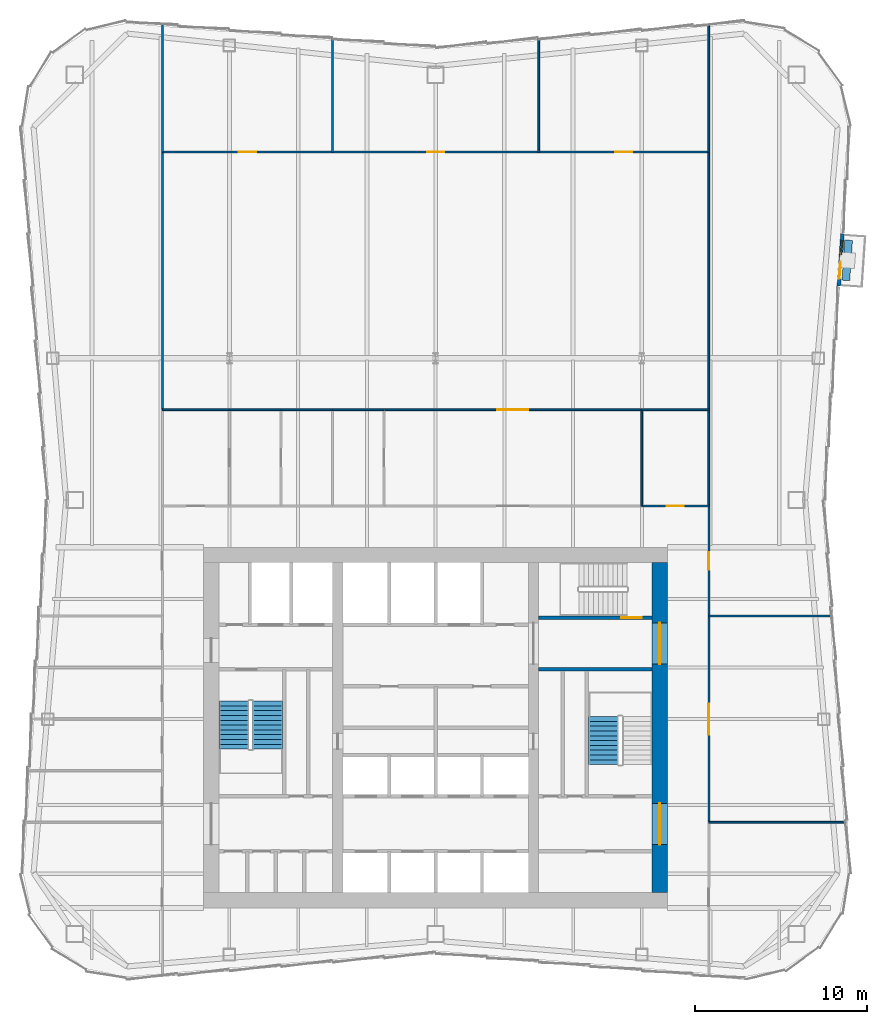
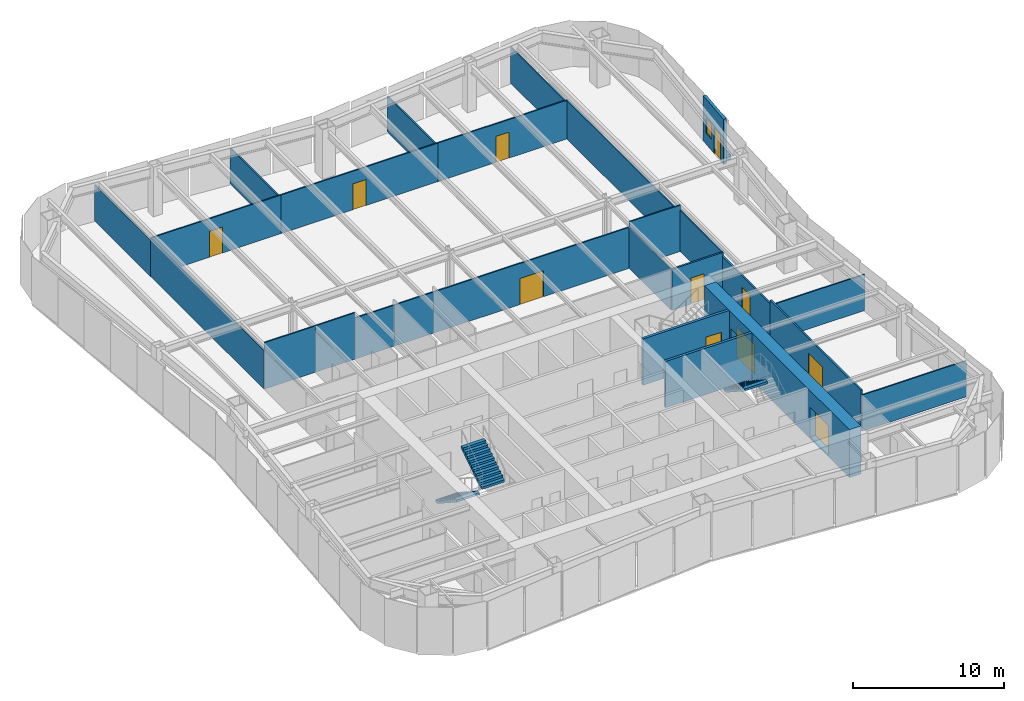
# One storey, part 7 of 10: 27 walls, 11 doors, 3 stair flights, 1 window, 12 openings, 2 elements without a shape of their own.
"""IFC4 building model written with IfcOpenShell, lengths in metres."""

from ifc_helpers import new_model, si_unit, direction, frame, frame_2d, origin, place, context, subcontext, project, spatial, polyline, rectangle, outline, extrude, material, layer, layer_set, type_object, element, fill, aggregate, save


model = new_model("IFC4")

# Units and contexts
model_context = context("Model", 3, precision=1e-05, world=origin(), true_north=direction((0.0, 1.0)))
body_context = subcontext(model_context, "Body", "Model", "MODEL_VIEW")
ifc_project = project(units=[si_unit("LENGTHUNIT", "METRE"), si_unit("AREAUNIT", "SQUARE_METRE"), si_unit("VOLUMEUNIT", "CUBIC_METRE"), si_unit("PLANEANGLEUNIT", "RADIAN"), si_unit("MASSUNIT", "GRAM", prefix="KILO")], contexts=[model_context])

# Site, building, storey
site_placement = place(None, origin())
site = spatial("IfcSite", under=ifc_project, at=site_placement, CompositionType="ELEMENT")
building_placement = place(site_placement, origin())
building = spatial("IfcBuilding", under=site, at=building_placement, Name="Verdant Reach Tower", CompositionType="ELEMENT")
storey_placement = place(building_placement, frame((0.0, 0.0, 222.0)))
storey = spatial("IfcBuildingStorey", under=building, at=storey_placement, Name="L51", CompositionType="ELEMENT", Elevation=222.0)

# Wall
ifc_material_1 = material(Name="Concrete C40/50", Category="concrete")
ifc_layer_1 = layer(ifc_material_1, 0.199951171875)
ifc_layer_set_1 = layer_set([ifc_layer_1], Name="CO-WALL-STAIR")
wall_type_1 = type_object("IfcWallType", Name="CO-WALL-STAIR", PredefinedType="PARTITIONING", material=ifc_layer_set_1)
wall_1_placement = place(storey_placement, frame((6.0, 31.39990234375, 0.0), z_axis=(0.0, 0.0, 1.0), x_axis=(1.0, 0.0, 0.0)))
element("IfcWall", 1, at=wall_1_placement, inside=storey, type_object=wall_type_1, Name="Stair enclosure wall, L51", PredefinedType="PARTITIONING", context=body_context, shape_type="SweptSolid", body=[
    extrude(rectangle(XDim=6.60009765625, YDim=0.199951171875, at=frame_2d((3.300048828125, 0.0))), origin(), (0.0, 0.0, 1.0), 3.75),
])

# Wall, opening, door
wall_2_placement = place(storey_placement, frame((6.0, 34.39990234375, 0.0), z_axis=(0.0, 0.0, 1.0), x_axis=(1.0, 0.0, 0.0)))
wall_2 = element("IfcWall", 2, at=wall_2_placement, inside=storey, type_object=wall_type_1, Name="Stair enclosure wall, L51", PredefinedType="PARTITIONING", context=body_context, shape_type="SweptSolid", body=[
    extrude(rectangle(XDim=6.60009765625, YDim=0.199951171875, at=frame_2d((3.300048828125, 0.0))), origin(), (0.0, 0.0, 1.0), 3.75),
])
opening_1_placement = place(wall_2_placement, frame((4.800048828125, 0.0, 0.0)))
opening_1 = element("IfcOpeningElement", 3, at=opening_1_placement, cuts=wall_2, Name="Opening SD", PredefinedType="OPENING", context=body_context, shape_type="SweptSolid", body=[
    extrude(rectangle(XDim=1.199951171875, YDim=2.199951171875, at=frame_2d((0.60009765625, 1.10009765625))), frame((0.0, 0.10986328125, 0.0), z_axis=(0.0, -1.0, 0.0), x_axis=(1.0, 0.0, 0.0)), (0.0, 0.0, 1.0), 0.219970703125),
])
ifc_material_2 = material(Name="Steel", Category="steel")
door_type_1 = type_object("IfcDoorType", Name="CO-DOOR-STAIR", OperationType="NOTDEFINED", PredefinedType="DOOR", material=ifc_material_2)
door_1_placement = place(opening_1_placement, origin())
door_1 = element("IfcDoor", 4, at=door_1_placement, inside=storey, type_object=door_type_1, Name="Stair door, L51", OperationType="SINGLE_SWING_RIGHT", OverallHeight=2.199951171875, OverallWidth=1.199951171875, PredefinedType="DOOR", context=body_context, shape_type="SweptSolid", body=[
    extrude(rectangle(XDim=1.199951171875, YDim=2.199951171875, at=frame_2d((0.60009765625, 1.10009765625))), frame((0.0, 0.02490234375, 0.0), z_axis=(0.0, -1.0, 0.0), x_axis=(1.0, 0.0, 0.0)), (0.0, 0.0, 1.0), 0.050048828125),
])
fill(opening_1, door_1)

# Wall, openings, door, window
ifc_material_3 = material(Name="Insulated bronze aluminium panel wall", Category="aluminium")
ifc_layer_2 = layer(ifc_material_3, 0.219970703125)
ifc_layer_set_2 = layer_set([ifc_layer_2], Name="EN-INFILL WALL")
wall_type_2 = type_object("IfcWallType", Name="EN-INFILL WALL", PredefinedType="SOLIDWALL", material=ifc_layer_set_2)
wall_3_placement = place(storey_placement, frame((23.46826171875, 53.7041015625, 0.0), z_axis=(0.0, 0.0, 1.0), x_axis=(0.068793846076, 0.997630897047, 0.0)))
wall_3 = element("IfcWall", 5, at=wall_3_placement, inside=storey, type_object=wall_type_2, Name="External infill wall, balcony bay 1, L51", PredefinedType="SOLIDWALL", context=body_context, shape_type="SweptSolid", body=[
    extrude(rectangle(XDim=3.048583984375, YDim=0.218017578125, at=frame_2d((1.5244140625, 0.0))), origin(), (0.0, 0.0, 1.0), 3.64990234375),
])
opening_2_placement = place(wall_3_placement, frame((0.416259765625, 0.0, 0.0)))
opening_2 = element("IfcOpeningElement", 6, at=opening_2_placement, cuts=wall_3, Name="Opening BD1", PredefinedType="OPENING", context=body_context, shape_type="SweptSolid", body=[
    extrude(rectangle(XDim=1.0, YDim=2.10009765625, at=frame_2d((0.5, 1.050048828125))), frame((0.0, 0.118896484375, 0.0), z_axis=(0.0, -1.0, 0.0), x_axis=(1.0, 0.0, 0.0)), (0.0, 0.0, 1.0), 0.238037109375),
])
opening_3_placement = place(wall_3_placement, frame((1.832275390625, 0.0, 0.89990234375)))
opening_3 = element("IfcOpeningElement", 7, at=opening_3_placement, cuts=wall_3, Name="Opening BW1", PredefinedType="OPENING", context=body_context, shape_type="SweptSolid", body=[
    extrude(rectangle(XDim=0.800048828125, YDim=1.199951171875, at=frame_2d((0.39990234375, 0.60009765625))), frame((0.0, 0.118896484375, 0.0), z_axis=(0.0, -1.0, 0.0), x_axis=(1.0, 0.0, 0.0)), (0.0, 0.0, 1.0), 0.238037109375),
])
ifc_material_4 = material(Name="Aluminium framed glazed door", Category="aluminium")
door_type_2 = type_object("IfcDoorType", Name="EN-DOOR BALCONY", OperationType="NOTDEFINED", PredefinedType="DOOR", material=ifc_material_4)
door_2_placement = place(opening_2_placement, origin())
door_2 = element("IfcDoor", 8, at=door_2_placement, inside=storey, type_object=door_type_2, Name="Balcony door 1, L51", OperationType="SINGLE_SWING_LEFT", OverallHeight=2.10009765625, OverallWidth=1.0, PredefinedType="DOOR", context=body_context, shape_type="SweptSolid", body=[
    extrude(rectangle(XDim=1.0, YDim=2.10009765625, at=frame_2d((0.5, 1.050048828125))), frame((0.0, 0.02490234375, 0.0), z_axis=(0.0, -1.0, 0.0), x_axis=(1.0, 0.0, 0.0)), (0.0, 0.0, 1.0), 0.050048828125),
])
fill(opening_2, door_2)
ifc_material_5 = material(Name="Aluminium framed glazing", Category="aluminium")
window_type = type_object("IfcWindowType", Name="EN-WINDOW BALCONY", PartitioningType="SINGLE_PANEL", PredefinedType="WINDOW", material=ifc_material_5)
window_placement = place(opening_3_placement, origin())
window = element("IfcWindow", 9, at=window_placement, inside=storey, type_object=window_type, Name="Balcony window 1, L51", OverallHeight=1.199951171875, OverallWidth=0.800048828125, PartitioningType="SINGLE_PANEL", PredefinedType="WINDOW", context=body_context, shape_type="SweptSolid", body=[
    extrude(rectangle(XDim=0.800048828125, YDim=1.199951171875, at=frame_2d((0.39990234375, 0.60009765625))), frame((0.0, 0.030029296875, 0.0), z_axis=(0.0, -1.0, 0.0), x_axis=(1.0, 0.0, 0.0)), (0.0, 0.0, 1.0), 0.06005859375),
])
fill(opening_3, window)

# Walls
ifc_material_6 = material(Name="Precast concrete C30/37", Category="concrete")
ifc_layer_3 = layer(ifc_material_6, 0.449951171875)
ifc_layer_set_3 = layer_set([ifc_layer_3], Name="EN-PLANTER")
wall_type_3 = type_object("IfcWallType", Name="EN-PLANTER", PredefinedType="USERDEFINED", material=ifc_layer_set_3)
wall_4_placement = place(storey_placement, frame((23.875244140625, 54.02685546875, 0.0), z_axis=(0.0, 0.0, 1.0), x_axis=(0.068823499363, 0.997628851796, 0.0)))
element("IfcWall", 10, at=wall_4_placement, inside=storey, type_object=wall_type_3, Name="Balcony planter 1, L51", ObjectType="PLANTER", PredefinedType="USERDEFINED", context=body_context, shape_type="SweptSolid", body=[
    extrude(rectangle(XDim=2.348388671875, YDim=0.449951171875, at=frame_2d((1.17431640625, 0.0))), origin(), (0.0, 0.0, 1.0), 0.39990234375),
])
ifc_material_7 = material(Name="Gypsum board on steel studs", Category="steel")
ifc_layer_4 = layer(ifc_material_7, 0.10009765625)
ifc_layer_set_4 = layer_set([ifc_layer_4], Name="FL-W1 Partition 100")
wall_type_4 = type_object("IfcWallType", Name="FL-W1 Partition 100", PredefinedType="PARTITIONING", material=ifc_layer_set_4)
wall_5_placement = place(storey_placement, frame((-11.99609375, 46.5, 0.0), z_axis=(0.0, 0.0, 1.0), x_axis=(-1.0, 0.0, 0.0)))
element("IfcWall", 11, at=wall_5_placement, inside=storey, type_object=wall_type_4, Name="Partition 51.17", PredefinedType="PARTITIONING", context=body_context, shape_type="SweptSolid", body=[
    extrude(rectangle(XDim=3.90380859375, YDim=0.10009765625, at=frame_2d((1.951904296875, 0.0))), origin(), (0.0, 0.0, 1.0), 3.75),
])
wall_6_placement = place(storey_placement, frame((-8.99609375, 46.5, 0.0), z_axis=(0.0, 0.0, 1.0), x_axis=(-1.0, 0.0, 0.0)))
element("IfcWall", 12, at=wall_6_placement, inside=storey, type_object=wall_type_4, Name="Partition 51.20", PredefinedType="PARTITIONING", context=body_context, shape_type="SweptSolid", body=[
    extrude(rectangle(XDim=3.0078125, YDim=0.10009765625, at=frame_2d((1.50390625, 0.0))), origin(), (0.0, 0.0, 1.0), 3.75),
])
for number, where, z_axis, x_axis, name in (
    (13, (-5.99609375, 46.5, 0.0), (0.0, 0.0, 1.0), (-1.0, 0.0, 0.0), "Partition 51.22"),
    (14, (-2.99609375, 46.5, 0.0), (0.0, 0.0, 1.0), (-1.0, 0.0, 0.0), "Partition 51.24"),
):
    element("IfcWall", number, at=place(storey_placement, frame(where, z_axis=z_axis, x_axis=x_axis)), inside=storey, type_object=wall_type_4, Name=name, PredefinedType="PARTITIONING", context=body_context, shape_type="SweptSolid", body=[
        extrude(rectangle(XDim=3.0078125, YDim=0.10009765625, at=frame_2d((1.50390625, 0.0))), origin(), (0.0, 0.0, 1.0), 3.320068359375),
    ])
wall_7_placement = place(storey_placement, frame((12.0, 40.89990234375, 0.0), z_axis=(0.0, 0.0, 1.0), x_axis=(0.0, 1.0, 0.0)))
element("IfcWall", 15, at=wall_7_placement, inside=storey, type_object=wall_type_4, Name="Partition 51.25", PredefinedType="PARTITIONING", context=body_context, shape_type="SweptSolid", body=[
    extrude(rectangle(XDim=5.60009765625, YDim=0.10009765625, at=frame_2d((2.800048828125, 0.0))), origin(), (0.0, 0.0, 1.0), 3.320068359375),
])

# Wall, opening, door
wall_8_placement = place(storey_placement, frame((-3.00390625, 46.5, 0.0), z_axis=(0.0, 0.0, 1.0), x_axis=(1.0, 0.0, 0.0)))
wall_8 = element("IfcWall", 16, at=wall_8_placement, inside=storey, type_object=wall_type_4, Name="Partition 51.26", PredefinedType="PARTITIONING", context=body_context, shape_type="SweptSolid", body=[
    extrude(rectangle(XDim=15.0078125, YDim=0.10009765625, at=frame_2d((7.50390625, 0.0))), origin(), (0.0, 0.0, 1.0), 3.320068359375),
])
opening_4_placement = place(wall_8_placement, frame((6.60400390625, 0.0, 0.0)))
opening_4 = element("IfcOpeningElement", 17, at=opening_4_placement, cuts=wall_8, Name="Opening D5", PredefinedType="OPENING", context=body_context, shape_type="SweptSolid", body=[
    extrude(rectangle(XDim=1.800048828125, YDim=2.10009765625, at=frame_2d((0.89990234375, 1.050048828125))), frame((0.0, 0.06005859375, 0.0), z_axis=(0.0, -1.0, 0.0), x_axis=(1.0, 0.0, 0.0)), (0.0, 0.0, 1.0), 0.1201171875),
])
ifc_material_8 = material(Name="Painted timber door leaves", Category="wood")
door_type_3 = type_object("IfcDoorType", Name="FL-D5 Double door 1800x2100", OperationType="DOUBLE_DOOR_SINGLE_SWING", PredefinedType="DOOR", material=ifc_material_8)
door_3_placement = place(opening_4_placement, origin())
door_3 = element("IfcDoor", 18, at=door_3_placement, inside=storey, type_object=door_type_3, Name="Door 51-016", OperationType="DOUBLE_DOOR_SINGLE_SWING", OverallHeight=2.10009765625, OverallWidth=1.800048828125, PredefinedType="DOOR", context=body_context, shape_type="SweptSolid", body=[
    extrude(rectangle(XDim=1.800048828125, YDim=2.10009765625, at=frame_2d((0.89990234375, 1.050048828125))), frame((0.0, 0.02490234375, 0.0), z_axis=(0.0, -1.0, 0.0), x_axis=(1.0, 0.0, 0.0)), (0.0, 0.0, 1.0), 0.050048828125),
])
fill(opening_4, door_3)

# Walls
wall_9_placement = place(storey_placement, frame((15.89990234375, 46.5, 0.0), z_axis=(0.0, 0.0, 1.0), x_axis=(-1.0, 0.0, 0.0)))
element("IfcWall", 19, at=wall_9_placement, inside=storey, type_object=wall_type_4, Name="Partition 51.27", PredefinedType="PARTITIONING", context=body_context, shape_type="SweptSolid", body=[
    extrude(rectangle(XDim=3.90380859375, YDim=0.10009765625, at=frame_2d((1.951904296875, 0.0))), origin(), (0.0, 0.0, 1.0), 3.75),
])
wall_10_placement = place(storey_placement, frame((15.89990234375, 40.89599609375, 0.0), z_axis=(0.0, 0.0, 1.0), x_axis=(0.0, 1.0, 0.0)))
element("IfcWall", 20, at=wall_10_placement, inside=storey, type_object=wall_type_4, Name="Partition 51.28", PredefinedType="PARTITIONING", context=body_context, shape_type="SweptSolid", body=[
    extrude(rectangle(XDim=5.60791015625, YDim=0.10009765625, at=frame_2d((2.803955078125, 0.0))), origin(), (0.0, 0.0, 1.0), 3.320068359375),
])

# Wall, opening, door
wall_11_placement = place(storey_placement, frame((-15.89990234375, 61.5, 0.0), z_axis=(0.0, 0.0, 1.0), x_axis=(1.0, 0.0, 0.0)))
wall_11 = element("IfcWall", 21, at=wall_11_placement, inside=storey, type_object=wall_type_4, Name="Partition 51.29", PredefinedType="PARTITIONING", context=body_context, shape_type="SweptSolid", body=[
    extrude(rectangle(XDim=9.89990234375, YDim=0.10009765625, at=frame_2d((4.949951171875, 0.0))), origin(), (0.0, 0.0, 1.0), 3.1201171875),
])
opening_5_placement = place(wall_11_placement, frame((4.449951171875, 0.0, 0.0)))
opening_5 = element("IfcOpeningElement", 22, at=opening_5_placement, cuts=wall_11, Name="Opening D3", PredefinedType="OPENING", context=body_context, shape_type="SweptSolid", body=[
    extrude(rectangle(XDim=1.0, YDim=2.10009765625, at=frame_2d((0.5, 1.050048828125))), frame((0.0, 0.06005859375, 0.0), z_axis=(0.0, -1.0, 0.0), x_axis=(1.0, 0.0, 0.0)), (0.0, 0.0, 1.0), 0.1201171875),
])
ifc_material_9 = material(Name="Painted timber door leaf", Category="wood")
door_type_4 = type_object("IfcDoorType", Name="FL-D3 Door 1000x2100", OperationType="NOTDEFINED", PredefinedType="DOOR", material=ifc_material_9)
door_4_placement = place(opening_5_placement, origin())
door_4 = element("IfcDoor", 23, at=door_4_placement, inside=storey, type_object=door_type_4, Name="Door 51-017", OperationType="SINGLE_SWING_LEFT", OverallHeight=2.10009765625, OverallWidth=1.0, PredefinedType="DOOR", context=body_context, shape_type="SweptSolid", body=[
    extrude(rectangle(XDim=1.0, YDim=2.10009765625, at=frame_2d((0.5, 1.050048828125))), frame((0.0, 0.02490234375, 0.0), z_axis=(0.0, -1.0, 0.0), x_axis=(1.0, 0.0, 0.0)), (0.0, 0.0, 1.0), 0.050048828125),
])
fill(opening_5, door_4)

wall_12_placement = place(storey_placement, frame((-6.0, 61.5, 0.0), z_axis=(0.0, 0.0, 1.0), x_axis=(1.0, 0.0, 0.0)))
wall_12 = element("IfcWall", 24, at=wall_12_placement, inside=storey, type_object=wall_type_4, Name="Partition 51.30", PredefinedType="PARTITIONING", context=body_context, shape_type="SweptSolid", body=[
    extrude(rectangle(XDim=12.0, YDim=0.10009765625, at=frame_2d((6.0, 0.0))), origin(), (0.0, 0.0, 1.0), 3.1201171875),
])
opening_6_placement = place(wall_12_placement, frame((5.5, 0.0, 0.0)))
opening_6 = element("IfcOpeningElement", 25, at=opening_6_placement, cuts=wall_12, Name="Opening D3", PredefinedType="OPENING", context=body_context, shape_type="SweptSolid", body=[
    extrude(rectangle(XDim=1.0, YDim=2.10009765625, at=frame_2d((0.5, 1.050048828125))), frame((0.0, 0.06005859375, 0.0), z_axis=(0.0, -1.0, 0.0), x_axis=(1.0, 0.0, 0.0)), (0.0, 0.0, 1.0), 0.1201171875),
])
door_5_placement = place(opening_6_placement, origin())
door_5 = element("IfcDoor", 26, at=door_5_placement, inside=storey, type_object=door_type_4, Name="Door 51-018", OperationType="SINGLE_SWING_RIGHT", OverallHeight=2.10009765625, OverallWidth=1.0, PredefinedType="DOOR", context=body_context, shape_type="SweptSolid", body=[
    extrude(rectangle(XDim=1.0, YDim=2.10009765625, at=frame_2d((0.5, 1.050048828125))), frame((0.0, 0.02490234375, 0.0), z_axis=(0.0, -1.0, 0.0), x_axis=(1.0, 0.0, 0.0)), (0.0, 0.0, 1.0), 0.050048828125),
])
fill(opening_6, door_5)

wall_13_placement = place(storey_placement, frame((6.0, 61.5, 0.0), z_axis=(0.0, 0.0, 1.0), x_axis=(1.0, 0.0, 0.0)))
wall_13 = element("IfcWall", 27, at=wall_13_placement, inside=storey, type_object=wall_type_4, Name="Partition 51.31", PredefinedType="PARTITIONING", context=body_context, shape_type="SweptSolid", body=[
    extrude(rectangle(XDim=9.89990234375, YDim=0.10009765625, at=frame_2d((4.949951171875, 0.0))), origin(), (0.0, 0.0, 1.0), 3.1201171875),
])
opening_7_placement = place(wall_13_placement, frame((4.449951171875, 0.0, 0.0)))
opening_7 = element("IfcOpeningElement", 28, at=opening_7_placement, cuts=wall_13, Name="Opening D3", PredefinedType="OPENING", context=body_context, shape_type="SweptSolid", body=[
    extrude(rectangle(XDim=1.0, YDim=2.10009765625, at=frame_2d((0.5, 1.050048828125))), frame((0.0, 0.06005859375, 0.0), z_axis=(0.0, -1.0, 0.0), x_axis=(1.0, 0.0, 0.0)), (0.0, 0.0, 1.0), 0.1201171875),
])
door_6_placement = place(opening_7_placement, origin())
door_6 = element("IfcDoor", 29, at=door_6_placement, inside=storey, type_object=door_type_4, Name="Door 51-019", OperationType="SINGLE_SWING_LEFT", OverallHeight=2.10009765625, OverallWidth=1.0, PredefinedType="DOOR", context=body_context, shape_type="SweptSolid", body=[
    extrude(rectangle(XDim=1.0, YDim=2.10009765625, at=frame_2d((0.5, 1.050048828125))), frame((0.0, 0.02490234375, 0.0), z_axis=(0.0, -1.0, 0.0), x_axis=(1.0, 0.0, 0.0)), (0.0, 0.0, 1.0), 0.050048828125),
])
fill(opening_7, door_6)

# Walls
for number, where, z_axis, x_axis, name in (
    (30, (-15.89990234375, 61.50390625, 0.0), (0.0, 0.0, 1.0), (0.0, -1.0, 0.0), "Partition 51.32"),
    (31, (15.89990234375, 46.49609375, 0.0), (0.0, 0.0, 1.0), (0.0, 1.0, 0.0), "Partition 51.33"),
):
    element("IfcWall", number, at=place(storey_placement, frame(where, z_axis=z_axis, x_axis=x_axis)), inside=storey, type_object=wall_type_4, Name=name, PredefinedType="PARTITIONING", context=body_context, shape_type="SweptSolid", body=[
        extrude(rectangle(XDim=15.0078125, YDim=0.10009765625, at=frame_2d((7.50390625, 0.0))), origin(), (0.0, 0.0, 1.0), 3.1201171875),
    ])
wall_14_placement = place(storey_placement, frame((-6.0, 61.5, 0.0), z_axis=(0.0, 0.0, 1.0), x_axis=(0.0, 1.0, 0.0)))
element("IfcWall", 32, at=wall_14_placement, inside=storey, type_object=wall_type_4, Name="Partition 51.34", PredefinedType="PARTITIONING", context=body_context, shape_type="SweptSolid", body=[
    extrude(rectangle(XDim=6.580078125, YDim=0.10009765625, at=frame_2d((3.2900390625, 0.0))), origin(), (0.0, 0.0, 1.0), 2.919921875),
])
wall_15_placement = place(storey_placement, frame((-15.89990234375, 68.905029296875, 0.0), z_axis=(0.0, 0.0, 1.0), x_axis=(0.0, -1.0, 0.0)))
element("IfcWall", 33, at=wall_15_placement, inside=storey, type_object=wall_type_4, Name="Partition 51.35", PredefinedType="PARTITIONING", context=body_context, shape_type="SweptSolid", body=[
    extrude(rectangle(XDim=7.408935546875, YDim=0.10009765625, at=frame_2d((3.70458984375, 0.0))), origin(), (0.0, 0.0, 1.0), 2.919921875),
])
wall_16_placement = place(storey_placement, frame((6.0, 61.5, 0.0), z_axis=(0.0, 0.0, 1.0), x_axis=(0.0, 1.0, 0.0)))
element("IfcWall", 34, at=wall_16_placement, inside=storey, type_object=wall_type_4, Name="Partition 51.36", PredefinedType="PARTITIONING", context=body_context, shape_type="SweptSolid", body=[
    extrude(rectangle(XDim=6.580078125, YDim=0.10009765625, at=frame_2d((3.2900390625, 0.0))), origin(), (0.0, 0.0, 1.0), 2.919921875),
])
wall_17_placement = place(storey_placement, frame((15.89990234375, 61.49609375, 0.0), z_axis=(0.0, 0.0, 1.0), x_axis=(0.0, 1.0, 0.0)))
element("IfcWall", 35, at=wall_17_placement, inside=storey, type_object=wall_type_4, Name="Partition 51.37", PredefinedType="PARTITIONING", context=body_context, shape_type="SweptSolid", body=[
    extrude(rectangle(XDim=7.408935546875, YDim=0.10009765625, at=frame_2d((3.70458984375, 0.0))), origin(), (0.0, 0.0, 1.0), 2.919921875),
])
wall_18_placement = place(storey_placement, frame((23.873046875, 22.5, 0.0), z_axis=(0.0, 0.0, 1.0), x_axis=(-1.0, 0.0, 0.0)))
element("IfcWall", 36, at=wall_18_placement, inside=storey, type_object=wall_type_4, Name="Partition 51.43", PredefinedType="PARTITIONING", context=body_context, shape_type="SweptSolid", body=[
    extrude(rectangle(XDim=7.97314453125, YDim=0.10009765625, at=frame_2d((3.986572265625, 0.0))), origin(), (0.0, 0.0, 1.0), 2.919921875),
])
wall_19_placement = place(storey_placement, frame((23.04541015625, 34.5, 0.0), z_axis=(0.0, 0.0, 1.0), x_axis=(-1.0, 0.0, 0.0)))
element("IfcWall", 37, at=wall_19_placement, inside=storey, type_object=wall_type_4, Name="Partition 51.44", PredefinedType="PARTITIONING", context=body_context, shape_type="SweptSolid", body=[
    extrude(rectangle(XDim=7.1455078125, YDim=0.10009765625, at=frame_2d((3.57275390625, 0.0))), origin(), (0.0, 0.0, 1.0), 2.919921875),
])

# Wall, opening, door
ifc_material_10 = material(Name="Gypsum board on steel studs, fire rated", Category="steel")
ifc_layer_5 = layer(ifc_material_10, 0.125)
ifc_layer_set_5 = layer_set([ifc_layer_5], Name="FL-W2 Corridor wall 125")
wall_type_5 = type_object("IfcWallType", Name="FL-W2 Corridor wall 125", PredefinedType="PARTITIONING", material=ifc_layer_set_5)
wall_20_placement = place(storey_placement, frame((12.0, 40.89990234375, 0.0), z_axis=(0.0, 0.0, 1.0), x_axis=(1.0, 0.0, 0.0)))
wall_20 = element("IfcWall", 38, at=wall_20_placement, inside=storey, type_object=wall_type_5, Name="Partition 51.06", PredefinedType="PARTITIONING", context=body_context, shape_type="SweptSolid", body=[
    extrude(rectangle(XDim=3.89990234375, YDim=0.125, at=frame_2d((1.949951171875, 0.0))), origin(), (0.0, 0.0, 1.0), 3.320068359375),
])
opening_8_placement = place(wall_20_placement, frame((1.449951171875, 0.0, 0.0)))
opening_8 = element("IfcOpeningElement", 39, at=opening_8_placement, cuts=wall_20, Name="Opening D2", PredefinedType="OPENING", context=body_context, shape_type="SweptSolid", body=[
    extrude(rectangle(XDim=1.0, YDim=2.10009765625, at=frame_2d((0.5, 1.050048828125))), frame((0.0, 0.072509765625, 0.0), z_axis=(0.0, -1.0, 0.0), x_axis=(1.0, 0.0, 0.0)), (0.0, 0.0, 1.0), 0.14501953125),
])
ifc_material_11 = material(Name="Timber door leaf, fire rated", Category="wood")
door_type_5 = type_object("IfcDoorType", Name="FL-D2 Entrance door 1000x2100 FD30", OperationType="NOTDEFINED", PredefinedType="DOOR", material=ifc_material_11)
door_7_placement = place(opening_8_placement, origin())
door_7 = element("IfcDoor", 40, at=door_7_placement, inside=storey, type_object=door_type_5, Name="Door 51-003", OperationType="SINGLE_SWING_LEFT", OverallHeight=2.10009765625, OverallWidth=1.0, PredefinedType="DOOR", context=body_context, shape_type="SweptSolid", body=[
    extrude(rectangle(XDim=1.0, YDim=2.10009765625, at=frame_2d((0.5, 1.050048828125))), frame((0.0, 0.02490234375, 0.0), z_axis=(0.0, -1.0, 0.0), x_axis=(1.0, 0.0, 0.0)), (0.0, 0.0, 1.0), 0.050048828125),
])
fill(opening_8, door_7)

wall_21_placement = place(storey_placement, frame((15.89990234375, 22.5, 0.0), z_axis=(0.0, 0.0, 1.0), x_axis=(0.0, 1.0, 0.0)))
wall_21 = element("IfcWall", 41, at=wall_21_placement, inside=storey, type_object=wall_type_5, Name="Partition 51.14", PredefinedType="PARTITIONING", context=body_context, shape_type="SweptSolid", body=[
    extrude(rectangle(XDim=12.0, YDim=0.125, at=frame_2d((6.0, 0.0))), origin(), (0.0, 0.0, 1.0), 3.320068359375),
])
opening_9_placement = place(wall_21_placement, frame((5.10009765625, 0.0, 0.0)))
opening_9 = element("IfcOpeningElement", 42, at=opening_9_placement, cuts=wall_21, Name="Opening D4", PredefinedType="OPENING", context=body_context, shape_type="SweptSolid", body=[
    extrude(rectangle(XDim=1.800048828125, YDim=2.10009765625, at=frame_2d((0.89990234375, 1.050048828125))), frame((0.0, 0.072509765625, 0.0), z_axis=(0.0, -1.0, 0.0), x_axis=(1.0, 0.0, 0.0)), (0.0, 0.0, 1.0), 0.14501953125),
])
ifc_material_12 = material(Name="Timber door leaves, fire rated", Category="wood")
door_type_6 = type_object("IfcDoorType", Name="FL-D4 Double door 1800x2100 FD30", OperationType="DOUBLE_DOOR_SINGLE_SWING", PredefinedType="DOOR", material=ifc_material_12)
door_8_placement = place(opening_9_placement, origin())
door_8 = element("IfcDoor", 43, at=door_8_placement, inside=storey, type_object=door_type_6, Name="Door 51-011", OperationType="DOUBLE_DOOR_SINGLE_SWING", OverallHeight=2.10009765625, OverallWidth=1.800048828125, PredefinedType="DOOR", context=body_context, shape_type="SweptSolid", body=[
    extrude(rectangle(XDim=1.800048828125, YDim=2.10009765625, at=frame_2d((0.89990234375, 1.050048828125))), frame((0.0, 0.02490234375, 0.0), z_axis=(0.0, -1.0, 0.0), x_axis=(1.0, 0.0, 0.0)), (0.0, 0.0, 1.0), 0.050048828125),
])
fill(opening_9, door_8)

wall_22_placement = place(storey_placement, frame((15.89990234375, 40.904052734375, 0.0), z_axis=(0.0, 0.0, 1.0), x_axis=(0.0, -1.0, 0.0)))
wall_22 = element("IfcWall", 44, at=wall_22_placement, inside=storey, type_object=wall_type_5, Name="Partition 51.15", PredefinedType="PARTITIONING", context=body_context, shape_type="SweptSolid", body=[
    extrude(rectangle(XDim=6.404052734375, YDim=0.125, at=frame_2d((3.2021484375, 0.0))), origin(), (0.0, 0.0, 1.0), 3.02001953125),
])
opening_10_placement = place(wall_22_placement, frame((2.701904296875, 0.0, 0.0)))
opening_10 = element("IfcOpeningElement", 45, at=opening_10_placement, cuts=wall_22, Name="Opening D2", PredefinedType="OPENING", context=body_context, shape_type="SweptSolid", body=[
    extrude(rectangle(XDim=1.0, YDim=2.10009765625, at=frame_2d((0.5, 1.050048828125))), frame((0.0, 0.072509765625, 0.0), z_axis=(0.0, -1.0, 0.0), x_axis=(1.0, 0.0, 0.0)), (0.0, 0.0, 1.0), 0.14501953125),
])
door_9_placement = place(opening_10_placement, origin())
door_9 = element("IfcDoor", 46, at=door_9_placement, inside=storey, type_object=door_type_5, Name="Door 51-012", OperationType="SINGLE_SWING_RIGHT", OverallHeight=2.10009765625, OverallWidth=1.0, PredefinedType="DOOR", context=body_context, shape_type="SweptSolid", body=[
    extrude(rectangle(XDim=1.0, YDim=2.10009765625, at=frame_2d((0.5, 1.050048828125))), frame((0.0, 0.02490234375, 0.0), z_axis=(0.0, -1.0, 0.0), x_axis=(1.0, 0.0, 0.0)), (0.0, 0.0, 1.0), 0.050048828125),
])
fill(opening_10, door_9)

# Wall, openings, doors
ifc_material_13 = material(Name="Concrete C70/85", Category="concrete")
ifc_layer_6 = layer(ifc_material_13, 0.89990234375)
ifc_layer_set_6 = layer_set([ifc_layer_6], Name="ST-CORE-WALL-900")
wall_type_6 = type_object("IfcWallType", Name="ST-CORE-WALL-900", PredefinedType="SHEAR", material=ifc_layer_set_6)
wall_23_placement = place(storey_placement, frame((13.050048828125, 18.39990234375, -0.1298828125), z_axis=(0.0, 0.0, 1.0), x_axis=(0.0, 1.0, 0.0)))
wall_23 = element("IfcWall", 47, at=wall_23_placement, inside=storey, type_object=wall_type_6, Name="Core wall E, L51", PredefinedType="SHEAR", context=body_context, shape_type="SweptSolid", body=[
    extrude(rectangle(XDim=19.2001953125, YDim=0.89990234375, at=frame_2d((9.60009765625, 0.0))), origin(), (0.0, 0.0, 1.0), 3.8798828125),
])
opening_11_placement = place(wall_23_placement, frame((2.800048828125, 0.0, 0.1298828125)))
opening_11 = element("IfcOpeningElement", 48, at=opening_11_placement, cuts=wall_23, Name="Opening LB", PredefinedType="OPENING", context=body_context, shape_type="SweptSolid", body=[
    extrude(rectangle(XDim=2.39990234375, YDim=2.39990234375, at=frame_2d((1.199951171875, 1.199951171875))), frame((0.0, 0.4599609375, 0.0), z_axis=(0.0, -1.0, 0.0), x_axis=(1.0, 0.0, 0.0)), (0.0, 0.0, 1.0), 0.919921875),
])
opening_12_placement = place(wall_23_placement, frame((13.300048828125, 0.0, 0.1298828125)))
opening_12 = element("IfcOpeningElement", 49, at=opening_12_placement, cuts=wall_23, Name="Opening LB", PredefinedType="OPENING", context=body_context, shape_type="SweptSolid", body=[
    extrude(rectangle(XDim=2.39990234375, YDim=2.39990234375, at=frame_2d((1.199951171875, 1.199951171875))), frame((0.0, 0.4599609375, 0.0), z_axis=(0.0, -1.0, 0.0), x_axis=(1.0, 0.0, 0.0)), (0.0, 0.0, 1.0), 0.919921875),
])
ifc_material_14 = material(Name="Glass and steel", Category="steel")
door_type_7 = type_object("IfcDoorType", Name="CO-DOOR-LOBBY", OperationType="DOUBLE_DOOR_SINGLE_SWING", PredefinedType="DOOR", material=ifc_material_14)
door_10_placement = place(opening_11_placement, origin())
door_10 = element("IfcDoor", 50, at=door_10_placement, inside=storey, type_object=door_type_7, Name="Core entrance door, L51", OperationType="DOUBLE_DOOR_SINGLE_SWING", OverallHeight=2.39990234375, OverallWidth=2.39990234375, PredefinedType="DOOR", context=body_context, shape_type="SweptSolid", body=[
    extrude(rectangle(XDim=2.39990234375, YDim=2.39990234375, at=frame_2d((1.199951171875, 1.199951171875))), frame((0.0, 0.02490234375, 0.0), z_axis=(0.0, -1.0, 0.0), x_axis=(1.0, 0.0, 0.0)), (0.0, 0.0, 1.0), 0.050048828125),
])
fill(opening_11, door_10)
door_11_placement = place(opening_12_placement, origin())
door_11 = element("IfcDoor", 51, at=door_11_placement, inside=storey, type_object=door_type_7, Name="Core entrance door, L51", OperationType="DOUBLE_DOOR_SINGLE_SWING", OverallHeight=2.39990234375, OverallWidth=2.39990234375, PredefinedType="DOOR", context=body_context, shape_type="SweptSolid", body=[
    extrude(rectangle(XDim=2.39990234375, YDim=2.39990234375, at=frame_2d((1.199951171875, 1.199951171875))), frame((0.0, 0.02490234375, 0.0), z_axis=(0.0, -1.0, 0.0), x_axis=(1.0, 0.0, 0.0)), (0.0, 0.0, 1.0), 0.050048828125),
])
fill(opening_12, door_11)

# Stair, stair flights
stair_type = type_object("IfcStairType", Name="CO-STAIR", PredefinedType="HALF_TURN_STAIR", material=ifc_material_1)
stair_1_placement = place(storey_placement, origin())
stair_1 = element("IfcStair", 52, at=stair_1_placement, inside=storey, type_object=stair_type, Name="L51 Exit stair 1", PredefinedType="HALF_TURN_STAIR")
stair_flight_type = type_object("IfcStairFlightType", Name="CO-STAIR-FLIGHT", PredefinedType="STRAIGHT", material=ifc_material_1)
stair_flight_1_placement = place(storey_placement, frame((-11.72509765625, 29.550048828125, 0.0), z_axis=(0.0, 0.0, 1.0), x_axis=(0.0, -1.0, 0.0)))
stair_flight_1 = element("IfcStairFlight", 53, at=stair_flight_1_placement, type_object=stair_flight_type, Name="ST-1 flight 1", NumberOfRisers=11, NumberOfTreads=10, PredefinedType="STRAIGHT", RiserHeight=0.181818182, TreadLength=0.28, context=body_context, shape_type="SweptSolid", body=[
    extrude(outline(polyline([(0.0, 0.0), (0.0, 0.181884765625), (0.280029296875, 0.181884765625), (0.280029296875, 0.363525390625), (0.56005859375, 0.363525390625), (0.56005859375, 0.54541015625), (0.840087890625, 0.54541015625), (0.840087890625, 0.727294921875), (1.1201171875, 0.727294921875), (1.1201171875, 0.9091796875), (1.39990234375, 0.9091796875), (1.39990234375, 1.0908203125), (1.679931640625, 1.0908203125), (1.679931640625, 1.272705078125), (1.9599609375, 1.272705078125), (1.9599609375, 1.45458984375), (2.239990234375, 1.45458984375), (2.239990234375, 1.636474609375), (2.52001953125, 1.636474609375), (2.52001953125, 1.818115234375), (2.800048828125, 1.818115234375), (2.800048828125, 2.0), (2.800048828125, 1.639404296875), (0.275146484375, 0.0), (0.0, 0.0)])), frame((0.0, 0.875, 0.0), z_axis=(0.0, -1.0, 0.0), x_axis=(1.0, 0.0, 0.0)), (0.0, 0.0, 1.0), 1.75),
])
stair_flight_2_placement = place(storey_placement, frame((-9.77490234375, 26.75, 2.0), z_axis=(0.0, 0.0, 1.0), x_axis=(0.0, 1.0, 0.0)))
stair_flight_2 = element("IfcStairFlight", 54, at=stair_flight_2_placement, type_object=stair_flight_type, Name="ST-1 flight 2", NumberOfRisers=11, NumberOfTreads=10, PredefinedType="STRAIGHT", RiserHeight=0.181818182, TreadLength=0.28, context=body_context, shape_type="SweptSolid", body=[
    extrude(outline(polyline([(0.0, 0.0), (0.0, 0.181884765625), (0.280029296875, 0.181884765625), (0.280029296875, 0.363525390625), (0.56005859375, 0.363525390625), (0.56005859375, 0.54541015625), (0.840087890625, 0.54541015625), (0.840087890625, 0.727294921875), (1.1201171875, 0.727294921875), (1.1201171875, 0.9091796875), (1.39990234375, 0.9091796875), (1.39990234375, 1.0908203125), (1.679931640625, 1.0908203125), (1.679931640625, 1.272705078125), (1.9599609375, 1.272705078125), (1.9599609375, 1.45458984375), (2.239990234375, 1.45458984375), (2.239990234375, 1.636474609375), (2.52001953125, 1.636474609375), (2.52001953125, 1.818115234375), (2.800048828125, 1.818115234375), (2.800048828125, 2.0), (2.800048828125, 1.639404296875), (0.275146484375, 0.0), (0.0, 0.0)])), frame((0.0, 0.875, 0.0), z_axis=(0.0, -1.0, 0.0), x_axis=(1.0, 0.0, 0.0)), (0.0, 0.0, 1.0), 1.75),
])
aggregate(stair_1, [stair_flight_1, stair_flight_2])

# Stair, stair flight
stair_2_placement = place(storey_placement, origin())
stair_2 = element("IfcStair", 55, at=stair_2_placement, inside=storey, type_object=stair_type, Name="L51 Exit stair 2", PredefinedType="HALF_TURN_STAIR")
stair_flight_3_placement = place(storey_placement, frame((9.77490234375, 28.64990234375, 2.0), z_axis=(0.0, 0.0, 1.0), x_axis=(0.0, -1.0, 0.0)))
stair_flight_3 = element("IfcStairFlight", 56, at=stair_flight_3_placement, type_object=stair_flight_type, Name="ST-2 flight 2", NumberOfRisers=11, NumberOfTreads=10, PredefinedType="STRAIGHT", RiserHeight=0.181818182, TreadLength=0.28, context=body_context, shape_type="SweptSolid", body=[
    extrude(outline(polyline([(0.0, 0.0), (0.0, 0.181884765625), (0.280029296875, 0.181884765625), (0.280029296875, 0.363525390625), (0.56005859375, 0.363525390625), (0.56005859375, 0.54541015625), (0.840087890625, 0.54541015625), (0.840087890625, 0.727294921875), (1.1201171875, 0.727294921875), (1.1201171875, 0.9091796875), (1.39990234375, 0.9091796875), (1.39990234375, 1.0908203125), (1.679931640625, 1.0908203125), (1.679931640625, 1.272705078125), (1.9599609375, 1.272705078125), (1.9599609375, 1.45458984375), (2.239990234375, 1.45458984375), (2.239990234375, 1.636474609375), (2.52001953125, 1.636474609375), (2.52001953125, 1.818115234375), (2.800048828125, 1.818115234375), (2.800048828125, 2.0), (2.800048828125, 1.639404296875), (0.275146484375, 0.0), (0.0, 0.0)])), frame((0.0, 0.875, 0.0), z_axis=(0.0, -1.0, 0.0), x_axis=(1.0, 0.0, 0.0)), (0.0, 0.0, 1.0), 1.75),
])
aggregate(stair_2, [stair_flight_3])

save(model, "model.ifc")
